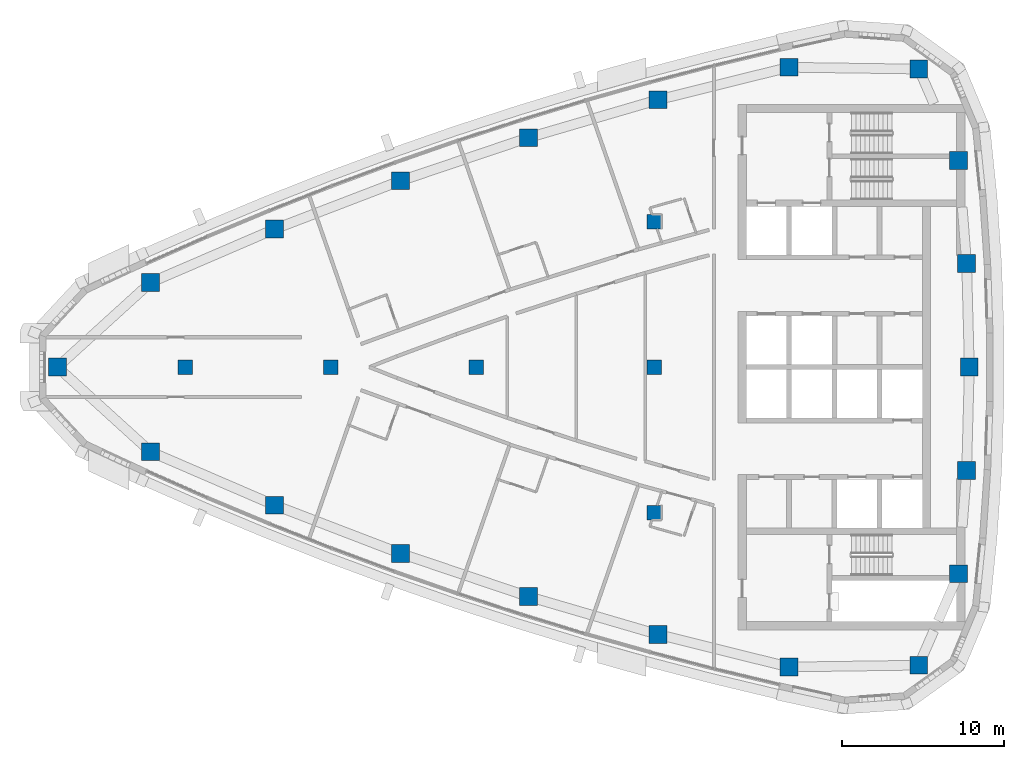
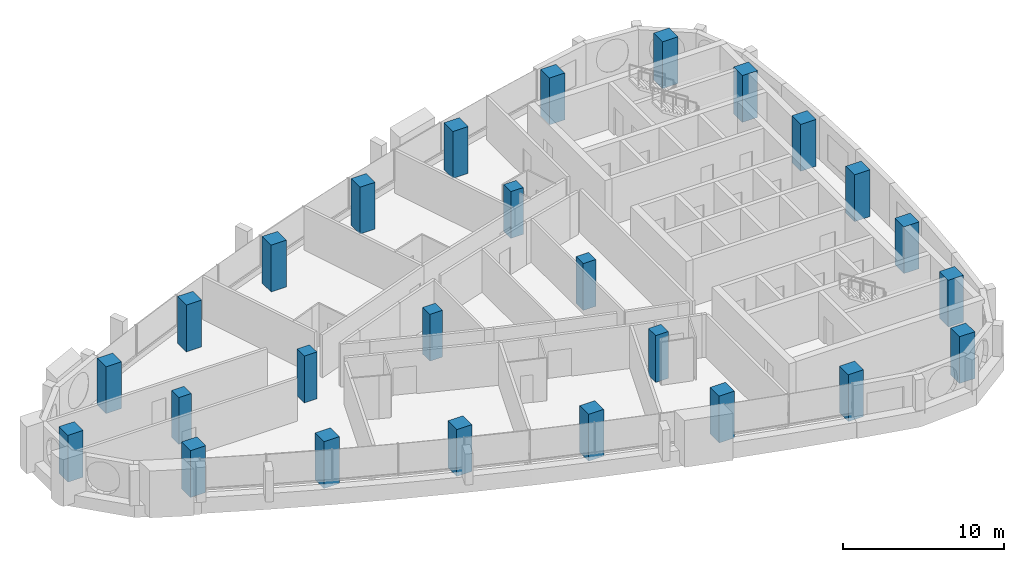
# One storey, part 1 of 15: 26 columns.
"""IFC4 building model written with IfcOpenShell, lengths in metres."""

from ifc_helpers import new_model, si_unit, direction, frame, origin, origin_2d, place, context, subcontext, project, spatial, rectangle, extrude, material, material_profile, profile_set, type_object, element, save


model = new_model("IFC4")

# Units and contexts
model_context = context("Model", 3, precision=1e-05, world=origin(), true_north=direction((0.0, 1.0)))
body_context = subcontext(model_context, "Body", "Model", "MODEL_VIEW")
ifc_project = project(units=[si_unit("LENGTHUNIT", "METRE"), si_unit("AREAUNIT", "SQUARE_METRE"), si_unit("VOLUMEUNIT", "CUBIC_METRE"), si_unit("PLANEANGLEUNIT", "RADIAN"), si_unit("MASSUNIT", "GRAM", prefix="KILO")], contexts=[model_context])

# Site, building, storey
site_placement = place(None, origin())
site = spatial("IfcSite", under=ifc_project, at=site_placement, CompositionType="ELEMENT")
building_placement = place(site_placement, origin())
building = spatial("IfcBuilding", under=site, at=building_placement, Name="Ostrand Prow Hotel Tower", CompositionType="ELEMENT")
storey_placement = place(building_placement, frame((0.0, 0.0, 292.75)))
storey = spatial("IfcBuildingStorey", under=building, at=storey_placement, Name="L74", CompositionType="ELEMENT", Elevation=292.75)

# Columns
ifc_material_1 = material(Name="Concrete C50/60", Category="concrete")
ifc_material_profile_1 = material_profile(ifc_material_1, rectangle(XDim=0.89990234375, YDim=0.89990234375, at=origin_2d()), Name="RC 900x900")
ifc_profile_set_1 = profile_set([ifc_material_profile_1], Name="Concrete C50/60")
column_type_1 = type_object("IfcColumnType", Name="Interior column 900x900 C50/60", PredefinedType="COLUMN", material=ifc_profile_set_1)
for number, where, z_axis, x_axis, name in (
    (1, (16.0, 0.0, 0.0), (0.0, 0.0, 1.0), (1.0, 0.0, 0.0), "Interior column 16C0"),
    (2, (25.0, 0.0, 0.0), (0.0, 0.0, 1.0), (1.0, 0.0, 0.0), "Interior column 25C0"),
    (3, (34.0, 0.0, 0.0), (0.0, 0.0, 1.0), (1.0, 0.0, 0.0), "Interior column 34C0"),
    (4, (45.0, -9.0, 0.0), (0.0, 0.0, 1.0), (1.0, 0.0, 0.0), "Interior column 45S9"),
    (5, (45.0, 0.0, 0.0), (0.0, 0.0, 1.0), (1.0, 0.0, 0.0), "Interior column 45C0"),
    (6, (45.0, 9.0, 0.0), (0.0, 0.0, 1.0), (1.0, 0.0, 0.0), "Interior column 45N9"),
):
    element("IfcColumn", number, at=place(storey_placement, frame(where, z_axis=z_axis, x_axis=x_axis)), inside=storey, type_object=column_type_1, Name=name, PredefinedType="COLUMN", context=body_context, shape_type="SweptSolid", body=[
        extrude(rectangle(XDim=0.89990234375, YDim=0.89990234375, at=origin_2d()), origin(), (0.0, 0.0, 1.0), 3.550048828125),
    ])
ifc_material_2 = material(Name="Concrete C50/60", Category="concrete")
ifc_material_profile_2 = material_profile(ifc_material_2, rectangle(XDim=1.10009765625, YDim=1.10009765625, at=origin_2d()), Name="RC 1100x1100")
ifc_profile_set_2 = profile_set([ifc_material_profile_2], Name="Concrete C50/60")
column_type_2 = type_object("IfcColumnType", Name="Stone-faced mega column 1100x1100 C50/60", PredefinedType="COLUMN", material=ifc_profile_set_2)
for number, where, z_axis, x_axis, name in (
    (7, (8.082763671875, 0.0, 0.0), (0.0, 0.0, 1.0), (1.0, 0.0, 0.0), "Mega column P"),
    (8, (13.846435546875, -5.23681640625, 0.0), (0.0, 0.0, 1.0), (1.0, 0.0, 0.0), "Mega column S1"),
    (9, (21.51416015625, -8.5400390625, 0.0), (0.0, 0.0, 1.0), (1.0, 0.0, 0.0), "Mega column S2"),
    (10, (29.31005859375, -11.528076171875, 0.0), (0.0, 0.0, 1.0), (1.0, 0.0, 0.0), "Mega column S3"),
    (11, (37.22119140625, -14.19580078125, 0.0), (0.0, 0.0, 1.0), (1.0, 0.0, 0.0), "Mega column S4"),
    (12, (45.234619140625, -16.53857421875, 0.0), (0.0, 0.0, 1.0), (1.0, 0.0, 0.0), "Mega column S5"),
    (13, (53.3369140625, -18.552978515625, 0.0), (0.0, 0.0, 1.0), (1.0, 0.0, 0.0), "Mega column S6"),
    (14, (61.374267578125, -18.439697265625, 0.0), (0.0, 0.0, 1.0), (1.0, 0.0, 0.0), "Mega column SE"),
    (15, (63.831787109375, -12.7890625, 0.0), (0.0, 0.0, 1.0), (1.0, 0.0, 0.0), "Mega column B1"),
    (16, (64.332763671875, -6.4033203125, 0.0), (0.0, 0.0, 1.0), (1.0, 0.0, 0.0), "Mega column B2"),
    (17, (64.5, 0.0, 0.0), (0.0, 0.0, 1.0), (1.0, 0.0, 0.0), "Mega column B3"),
    (18, (64.332763671875, 6.4033203125, 0.0), (0.0, 0.0, 1.0), (1.0, 0.0, 0.0), "Mega column B4"),
    (19, (63.831787109375, 12.7890625, 0.0), (0.0, 0.0, 1.0), (1.0, 0.0, 0.0), "Mega column B5"),
    (20, (61.374267578125, 18.439697265625, 0.0), (0.0, 0.0, 1.0), (1.0, 0.0, 0.0), "Mega column NE"),
    (21, (53.3369140625, 18.552978515625, 0.0), (0.0, 0.0, 1.0), (1.0, 0.0, 0.0), "Mega column N1"),
    (22, (45.234619140625, 16.53857421875, 0.0), (0.0, 0.0, 1.0), (1.0, 0.0, 0.0), "Mega column N2"),
    (23, (37.22119140625, 14.19580078125, 0.0), (0.0, 0.0, 1.0), (1.0, 0.0, 0.0), "Mega column N3"),
    (24, (29.31005859375, 11.528076171875, 0.0), (0.0, 0.0, 1.0), (1.0, 0.0, 0.0), "Mega column N4"),
    (25, (21.51416015625, 8.5400390625, 0.0), (0.0, 0.0, 1.0), (1.0, 0.0, 0.0), "Mega column N5"),
    (26, (13.846435546875, 5.23681640625, 0.0), (0.0, 0.0, 1.0), (1.0, 0.0, 0.0), "Mega column N6"),
):
    element("IfcColumn", number, at=place(storey_placement, frame(where, z_axis=z_axis, x_axis=x_axis)), inside=storey, type_object=column_type_2, Name=name, PredefinedType="COLUMN", context=body_context, shape_type="SweptSolid", body=[
        extrude(rectangle(XDim=1.10009765625, YDim=1.10009765625, at=origin_2d()), origin(), (0.0, 0.0, 1.0), 3.550048828125),
    ])

save(model, "model.ifc")
